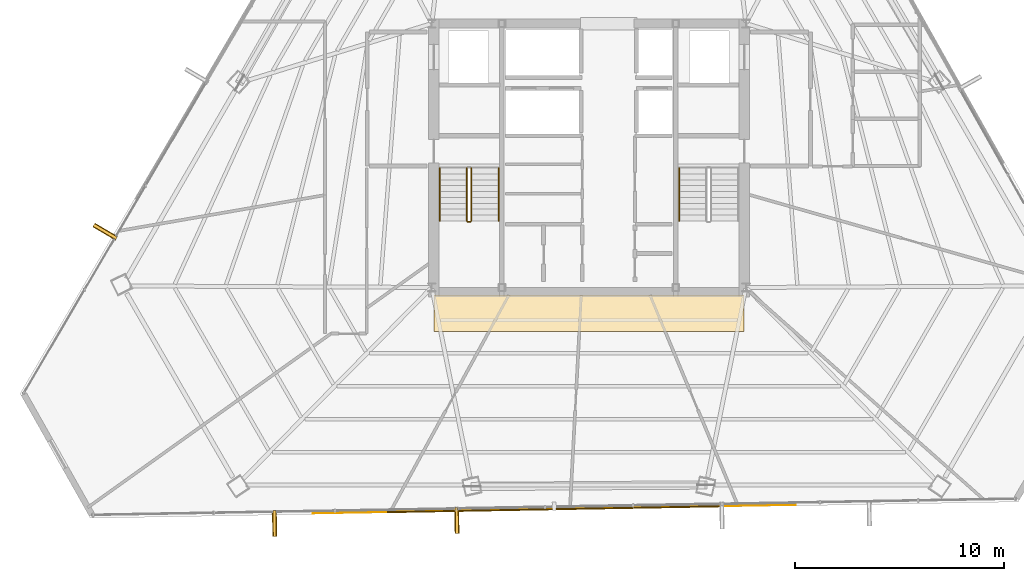
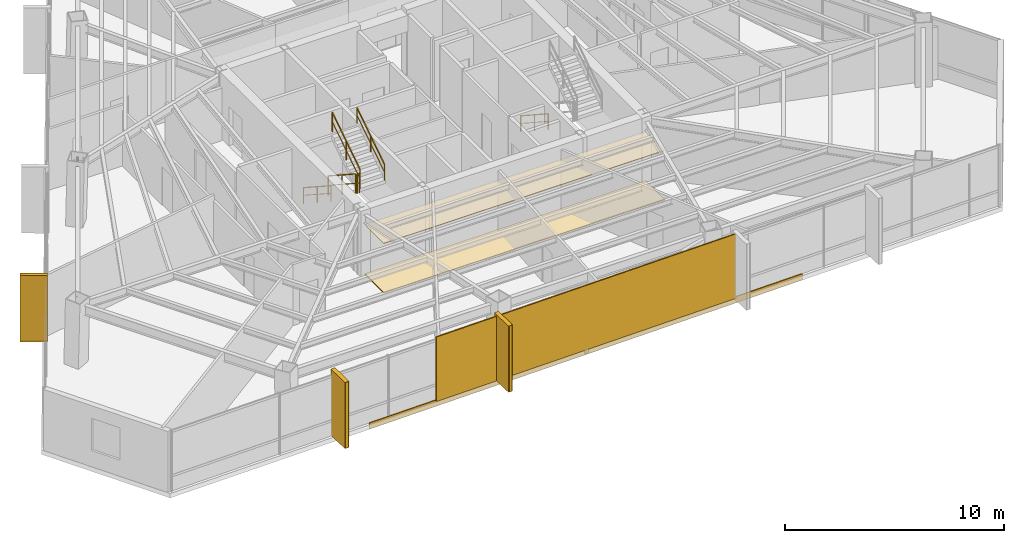
# One storey, part 39 of 42: 6 coverings, 6 railings, 4 shading devices.
"""IFC4 building model written with IfcOpenShell, lengths in metres."""

from ifc_helpers import new_model, si_unit, direction, frame, origin, origin_2d, place, context, subcontext, project, spatial, polyline, rectangle, outline, extrude, source, transform, mapped, material, layer, layer_set, type_object, type_shapes, element, save


model = new_model("IFC4")

# Units and contexts
model_context = context("Model", 3, precision=1e-05, world=origin(), true_north=direction((0.0, 1.0)))
body_context = subcontext(model_context, "Body", "Model", "MODEL_VIEW")
ifc_project = project(units=[si_unit("LENGTHUNIT", "METRE"), si_unit("AREAUNIT", "SQUARE_METRE"), si_unit("VOLUMEUNIT", "CUBIC_METRE"), si_unit("PLANEANGLEUNIT", "RADIAN"), si_unit("MASSUNIT", "GRAM", prefix="KILO")], contexts=[model_context])

# Site, building, storey
site_placement = place(None, origin())
site = spatial("IfcSite", under=ifc_project, at=site_placement, CompositionType="ELEMENT")
building_placement = place(site_placement, origin())
building = spatial("IfcBuilding", under=site, at=building_placement, Name="Caelisora Broadcast Tower", CompositionType="ELEMENT")
storey_placement = place(building_placement, frame((0.0, 0.0, 184.050048828125)))
storey = spatial("IfcBuildingStorey", under=building, at=storey_placement, Name="L48", CompositionType="ELEMENT", Elevation=184.050048828125)

# Coverings
ifc_material_1 = material(Name="Perforated Mineral-Fibre Acoustic Ceiling Tile", Category="gypsum")
ifc_layer_1 = layer(ifc_material_1, 0.034912109375, Name="Perforated Mineral-Fibre Acoustic Ceiling Tile")
ifc_layer_set_1 = layer_set([ifc_layer_1], Name="Perforated Mineral-Fibre Acoustic Ceiling Tile")
covering_type_1 = type_object("IfcCoveringType", Name="CE-1", PredefinedType="CEILING", material=ifc_layer_set_1)
covering_1_placement = place(storey_placement, frame((0.0, 0.0, 2.75)))
element("IfcCovering", 1, at=covering_1_placement, inside=storey, type_object=covering_type_1, Name="L48 acoustic corridor ceiling CE-1 (S)", PredefinedType="CEILING", context=body_context, shape_type="SweptSolid", body=[
    extrude(outline(polyline([(30.60009765625, 15.300048828125), (45.39990234375, 15.300048828125), (45.39990234375, 17.050048828125), (30.60009765625, 17.050048828125), (30.60009765625, 15.300048828125)])), origin(), (0.0, 0.0, 1.0), 0.034912109375),
])
ifc_material_2 = material(Name="Anti-Static Broadcast Raised Access Floor Panel", Category="steel")
ifc_layer_2 = layer(ifc_material_2, 0.044921875, Name="Anti-Static Broadcast Raised Access Floor Panel")
ifc_layer_set_2 = layer_set([ifc_layer_2], Name="Anti-Static Broadcast Raised Access Floor Panel")
covering_type_2 = type_object("IfcCoveringType", Name="FL-1", PredefinedType="FLOORING", material=ifc_layer_set_2)
covering_2_placement = place(storey_placement, origin())
element("IfcCovering", 2, at=covering_2_placement, inside=storey, type_object=covering_type_2, Name="L48 broadcast raised access floor FL-1 (S)", PredefinedType="FLOORING", context=body_context, shape_type="SweptSolid", body=[
    extrude(outline(polyline([(30.60009765625, 15.300048828125), (45.39990234375, 15.300048828125), (45.39990234375, 17.050048828125), (30.60009765625, 17.050048828125), (30.60009765625, 15.300048828125)])), origin(), (0.0, 0.0, 1.0), 0.044921875),
])

# Railings
ifc_material_3 = material(Name="Galvanised Steel Safety Guardrail", Category="steel")
ifc_layer_3 = layer(ifc_material_3, 0.048095703125, Name="Galvanised Steel Safety Guardrail")
ifc_layer_set_3 = layer_set([ifc_layer_3], Name="Galvanised Steel Safety Guardrail")
railing_type_1 = type_object("IfcRailingType", Name="GR-1", PredefinedType="GUARDRAIL", material=ifc_layer_set_3)
railing_1_placement = place(storey_placement, frame((32.169921875, 23.10009765625, 0.182373046875)))
element("IfcRailing", 3, at=railing_1_placement, inside=storey, type_object=railing_type_1, Name="L48 ST-1 stair guard 1", PredefinedType="GUARDRAIL", context=body_context, shape_type="SweptSolid", body=[
    extrude(rectangle(XDim=0.048095703125, YDim=0.048095703125, at=origin_2d()), frame((0.0, 0.0, 1.076171875), z_axis=(0.0, -0.837749427056, 0.546054848405), x_axis=(1.0, 0.0, 0.0)), (0.0, 0.0, 1.0), 3.008056640625),
    extrude(rectangle(XDim=0.03125, YDim=0.03125, at=origin_2d()), frame((0.0, 0.0, 0.550048828125), z_axis=(0.0, -0.837749427056, 0.546054848405), x_axis=(1.0, 0.0, 0.0)), (0.0, 0.0, 1.0), 3.008056640625),
    extrude(rectangle(XDim=0.0419921875, YDim=0.0419921875, at=origin_2d()), origin(), (0.0, 0.0, 1.0), 1.052001953125),
    extrude(rectangle(XDim=0.0419921875, YDim=0.0419921875, at=origin_2d()), frame((0.0, -1.260009765625, 0.8212890625)), (0.0, 0.0, 1.0), 1.052001953125),
    extrude(rectangle(XDim=0.0419921875, YDim=0.0419921875, at=origin_2d()), frame((0.0, -2.52001953125, 1.642578125)), (0.0, 0.0, 1.0), 1.052001953125),
])
railing_2_placement = place(storey_placement, frame((32.219970703125, 20.530029296875, 1.824951171875)))
element("IfcRailing", 4, at=railing_2_placement, inside=storey, type_object=railing_type_1, Name="L48 ST-1 stair guard 2", PredefinedType="GUARDRAIL", context=body_context, shape_type="SweptSolid", body=[
    extrude(rectangle(XDim=0.048095703125, YDim=0.048095703125, at=origin_2d()), frame((0.0, 0.0, 1.076171875), z_axis=(1.0, 0.0, 0.0), x_axis=(0.0, 1.0, 0.0)), (0.0, 0.0, 1.0), 0.1201171875),
    extrude(rectangle(XDim=0.03125, YDim=0.03125, at=origin_2d()), frame((0.0, 0.0, 0.550048828125), z_axis=(1.0, 0.0, 0.0), x_axis=(0.0, 1.0, 0.0)), (0.0, 0.0, 1.0), 0.1201171875),
    extrude(rectangle(XDim=0.0419921875, YDim=0.0419921875, at=origin_2d()), origin(), (0.0, 0.0, 1.0), 1.052001953125),
    extrude(rectangle(XDim=0.0419921875, YDim=0.0419921875, at=origin_2d()), frame((0.1201171875, 0.0, 0.0)), (0.0, 0.0, 1.0), 1.052001953125),
])
railing_3_placement = place(storey_placement, frame((32.389892578125, 20.580078125, 2.007568359375)))
element("IfcRailing", 5, at=railing_3_placement, inside=storey, type_object=railing_type_1, Name="L48 ST-1 stair guard 3", PredefinedType="GUARDRAIL", context=body_context, shape_type="SweptSolid", body=[
    extrude(rectangle(XDim=0.048095703125, YDim=0.048095703125, at=origin_2d()), frame((0.0, 0.0, 1.076171875), z_axis=(0.0, 0.837786554691, 0.545997883492), x_axis=(-1.0, 0.0, 0.0)), (0.0, 0.0, 1.0), 3.008056640625),
    extrude(rectangle(XDim=0.03125, YDim=0.03125, at=origin_2d()), frame((0.0, 0.0, 0.550048828125), z_axis=(0.0, 0.837786554691, 0.545997883492), x_axis=(-1.0, 0.0, 0.0)), (0.0, 0.0, 1.0), 3.008056640625),
    extrude(rectangle(XDim=0.0419921875, YDim=0.0419921875, at=origin_2d()), origin(), (0.0, 0.0, 1.0), 1.052001953125),
    extrude(rectangle(XDim=0.0419921875, YDim=0.0419921875, at=origin_2d()), frame((0.0, 1.260009765625, 0.8212890625)), (0.0, 0.0, 1.0), 1.052001953125),
    extrude(rectangle(XDim=0.0419921875, YDim=0.0419921875, at=origin_2d()), frame((0.0, 2.52001953125, 1.642333984375)), (0.0, 0.0, 1.0), 1.052001953125),
])
ifc_material_4 = material(Name="Stainless Steel Grade 316 Tubular Handrail", Category="steel")
ifc_layer_4 = layer(ifc_material_4, 0.048095703125, Name="Stainless Steel Grade 316 Tubular Handrail")
ifc_layer_set_4 = layer_set([ifc_layer_4], Name="Stainless Steel Grade 316 Tubular Handrail")
railing_type_2 = type_object("IfcRailingType", Name="HR-1", PredefinedType="HANDRAIL", material=ifc_layer_set_4)
railing_4_placement = place(storey_placement, frame((30.8701171875, 23.10009765625, 0.182373046875)))
element("IfcRailing", 6, at=railing_4_placement, inside=storey, type_object=railing_type_2, Name="L48 ST-1 stair handrail 1", PredefinedType="HANDRAIL", context=body_context, shape_type="SweptSolid", body=[
    extrude(rectangle(XDim=0.048095703125, YDim=0.048095703125, at=origin_2d()), frame((0.0, 0.0, 0.8759765625), z_axis=(0.0, -0.837749427056, 0.546054848405), x_axis=(1.0, 0.0, 0.0)), (0.0, 0.0, 1.0), 3.008056640625),
    extrude(rectangle(XDim=0.03125, YDim=0.03125, at=origin_2d()), frame((0.0, 0.0, 0.449951171875), z_axis=(0.0, -0.837749427056, 0.546054848405), x_axis=(1.0, 0.0, 0.0)), (0.0, 0.0, 1.0), 3.008056640625),
    extrude(rectangle(XDim=0.0419921875, YDim=0.0419921875, at=origin_2d()), origin(), (0.0, 0.0, 1.0), 0.851806640625),
    extrude(rectangle(XDim=0.0419921875, YDim=0.0419921875, at=origin_2d()), frame((0.0, -1.260009765625, 0.8212890625)), (0.0, 0.0, 1.0), 0.851806640625),
    extrude(rectangle(XDim=0.0419921875, YDim=0.0419921875, at=origin_2d()), frame((0.0, -2.52001953125, 1.642578125)), (0.0, 0.0, 1.0), 0.851806640625),
])
railing_5_placement = place(storey_placement, frame((33.68994140625, 20.580078125, 2.007568359375)))
element("IfcRailing", 7, at=railing_5_placement, inside=storey, type_object=railing_type_2, Name="L48 ST-1 stair handrail 2", PredefinedType="HANDRAIL", context=body_context, shape_type="SweptSolid", body=[
    extrude(rectangle(XDim=0.048095703125, YDim=0.048095703125, at=origin_2d()), frame((0.0, 0.0, 0.8759765625), z_axis=(0.0, 0.837786554691, 0.545997883492), x_axis=(-1.0, 0.0, 0.0)), (0.0, 0.0, 1.0), 3.008056640625),
    extrude(rectangle(XDim=0.03125, YDim=0.03125, at=origin_2d()), frame((0.0, 0.0, 0.449951171875), z_axis=(0.0, 0.837786554691, 0.545997883492), x_axis=(-1.0, 0.0, 0.0)), (0.0, 0.0, 1.0), 3.008056640625),
    extrude(rectangle(XDim=0.0419921875, YDim=0.0419921875, at=origin_2d()), origin(), (0.0, 0.0, 1.0), 0.851806640625),
    extrude(rectangle(XDim=0.0419921875, YDim=0.0419921875, at=origin_2d()), frame((0.0, 1.260009765625, 0.8212890625)), (0.0, 0.0, 1.0), 0.851806640625),
    extrude(rectangle(XDim=0.0419921875, YDim=0.0419921875, at=origin_2d()), frame((0.0, 2.52001953125, 1.642333984375)), (0.0, 0.0, 1.0), 0.851806640625),
])
railing_6_placement = place(storey_placement, frame((42.31005859375, 23.10009765625, 0.182373046875)))
element("IfcRailing", 8, at=railing_6_placement, inside=storey, type_object=railing_type_2, Name="L48 ST-2 stair handrail 1", PredefinedType="HANDRAIL", context=body_context, shape_type="SweptSolid", body=[
    extrude(rectangle(XDim=0.048095703125, YDim=0.048095703125, at=origin_2d()), frame((0.0, 0.0, 0.8759765625), z_axis=(0.0, -0.837749427056, 0.546054848405), x_axis=(1.0, 0.0, 0.0)), (0.0, 0.0, 1.0), 3.008056640625),
    extrude(rectangle(XDim=0.03125, YDim=0.03125, at=origin_2d()), frame((0.0, 0.0, 0.449951171875), z_axis=(0.0, -0.837749427056, 0.546054848405), x_axis=(1.0, 0.0, 0.0)), (0.0, 0.0, 1.0), 3.008056640625),
    extrude(rectangle(XDim=0.0419921875, YDim=0.0419921875, at=origin_2d()), origin(), (0.0, 0.0, 1.0), 0.851806640625),
    extrude(rectangle(XDim=0.0419921875, YDim=0.0419921875, at=origin_2d()), frame((0.0, -1.260009765625, 0.8212890625)), (0.0, 0.0, 1.0), 0.851806640625),
    extrude(rectangle(XDim=0.0419921875, YDim=0.0419921875, at=origin_2d()), frame((0.0, -2.52001953125, 1.642578125)), (0.0, 0.0, 1.0), 0.851806640625),
])

# Coverings
ifc_material_5 = material(Name="Kiln-Fired Terracotta Spandrel Rainscreen Cladding", Category="ceramic")
ifc_layer_5 = layer(ifc_material_5, 0.044921875, Name="Kiln-Fired Terracotta Spandrel Rainscreen Cladding")
ifc_layer_set_5 = layer_set([ifc_layer_5], Name="Kiln-Fired Terracotta Spandrel Rainscreen Cladding")
covering_type_3 = type_object("IfcCoveringType", Name="CL-1", PredefinedType="CLADDING", material=ifc_layer_set_5)
shared_shape_1 = source(origin(), body_context, "Body", "SweptSolid", [
    extrude(rectangle(XDim=0.219970703125, YDim=1.25, at=origin_2d()), origin(), (0.0, 0.0, 1.0), 3.68994140625),
])
for number, where, z_axis, x_axis, name in (
    (9, (31.698486328125, 6.281494140625, -0.02001953125), (0.0, 0.0, 1.0), (-0.999847695156, -0.017452406437, 0.0), "L48 vertical solar fin cladding #2-3"),
    (10, (22.99560546875, 6.128662109375, -0.02001953125), (0.0, 0.0, 1.0), (-0.999847695156, -0.017452406437, 0.0), "L48 vertical solar fin cladding #2-4"),
    (11, (14.90625, 20.064453125, -0.02001953125), (0.0, 0.0, 1.0), (0.506334807353, 0.862336977557, 0.0), "L48 vertical solar fin cladding #3-1"),
):
    element("IfcCovering", number, at=place(storey_placement, frame(where, z_axis=z_axis, x_axis=x_axis)), inside=storey, type_object=covering_type_3, Name=name, PredefinedType="CLADDING", context=body_context, shape_type="MappedRepresentation", body=[
        mapped(shared_shape_1, transform((0.0, 0.0, 0.0), scale=1.0)),
    ])

# Shading devices
ifc_material_6 = material(Name="Extruded Terracotta Flaring Colonnade Fin", Category="ceramic")
ifc_layer_6 = layer(ifc_material_6, 0.139892578125, Name="Extruded Terracotta Flaring Colonnade Fin")
ifc_layer_set_6 = layer_set([ifc_layer_6], Name="Extruded Terracotta Flaring Colonnade Fin")
shading_device_type_1 = type_object("IfcShadingDeviceType", Name="FN-1", PredefinedType="USERDEFINED", material=ifc_layer_set_6)
shared_shape_2 = source(origin(), body_context, "Body", "SweptSolid", [
    extrude(rectangle(XDim=0.139892578125, YDim=1.25, at=origin_2d()), origin(), (0.0, 0.0, 1.0), 3.669921875),
])
type_shapes(shading_device_type_1, [shared_shape_2])
for number, where, z_axis, x_axis, name in (
    (12, (31.698486328125, 6.281494140625, -0.010009765625), (0.0, 0.0, 1.0), (-0.999847695156, -0.017452406437, 0.0), "L48 vertical terracotta fin #2-3"),
    (13, (22.99560546875, 6.128662109375, -0.010009765625), (0.0, 0.0, 1.0), (-0.999847695156, -0.017452406437, 0.0), "L48 vertical terracotta fin #2-4"),
    (14, (14.90625, 20.064453125, -0.010009765625), (0.0, 0.0, 1.0), (0.506334807353, 0.862336977557, 0.0), "L48 vertical terracotta fin #3-1"),
):
    element("IfcShadingDevice", number, at=place(storey_placement, frame(where, z_axis=z_axis, x_axis=x_axis)), inside=storey, type_object=shading_device_type_1, Name=name, ObjectType="FIN", PredefinedType="USERDEFINED", context=body_context, shape_type="MappedRepresentation", body=[
        mapped(shared_shape_2, transform((0.0, 0.0, 0.0), scale=1.0)),
    ])
ifc_material_7 = material(Name="Perforated Glazed Terracotta Baguette Solar Screen", Category="ceramic")
ifc_layer_7 = layer(ifc_material_7, 0.06494140625, Name="Perforated Glazed Terracotta Baguette Solar Screen")
ifc_layer_set_7 = layer_set([ifc_layer_7], Name="Perforated Glazed Terracotta Baguette Solar Screen")
shading_device_type_2 = type_object("IfcShadingDeviceType", Name="SS-1", PredefinedType="USERDEFINED", material=ifc_layer_set_7)
shared_shape_3 = source(origin(), body_context, "Body", "SweptSolid", [
    extrude(rectangle(XDim=15.951904296875, YDim=0.06494140625, at=origin_2d()), origin(), (0.0, 0.0, 1.0), 3.590087890625),
])
type_shapes(shading_device_type_2, [shared_shape_3])
shading_device_placement = place(storey_placement, frame((36.347900390625, 6.81298828125, 0.0), z_axis=(0.0, 0.0, 1.0), x_axis=(0.999844633908, 0.017626912514, 0.0)))
element("IfcShadingDevice", 15, at=shading_device_placement, inside=storey, type_object=shading_device_type_2, Name="L48 perforated terracotta solar screen #2", ObjectType="SOLAR SCREEN", PredefinedType="USERDEFINED", context=body_context, shape_type="MappedRepresentation", body=[
    mapped(shared_shape_3, transform((0.0, 0.0, 0.0), scale=1.0)),
])

# Covering
shared_shape_4 = source(origin(), body_context, "Body", "SweptSolid", [
    extrude(rectangle(XDim=23.0419921875, YDim=0.044921875, at=origin_2d()), origin(), (0.0, 0.0, 1.0), 0.340087890625),
])
type_shapes(covering_type_3, [shared_shape_1, shared_shape_4])
covering_3_placement = place(storey_placement, frame((36.347412109375, 6.8330078125, -0.27001953125), z_axis=(0.0, 0.0, 1.0), x_axis=(0.999844633908, 0.017626912514, 0.0)))
element("IfcCovering", 16, at=covering_3_placement, inside=storey, type_object=covering_type_3, Name="L48 terracotta spandrel rainscreen #2", PredefinedType="CLADDING", context=body_context, shape_type="MappedRepresentation", body=[
    mapped(shared_shape_4, transform((0.0, 0.0, 0.0), scale=1.0)),
])

save(model, "model.ifc")
